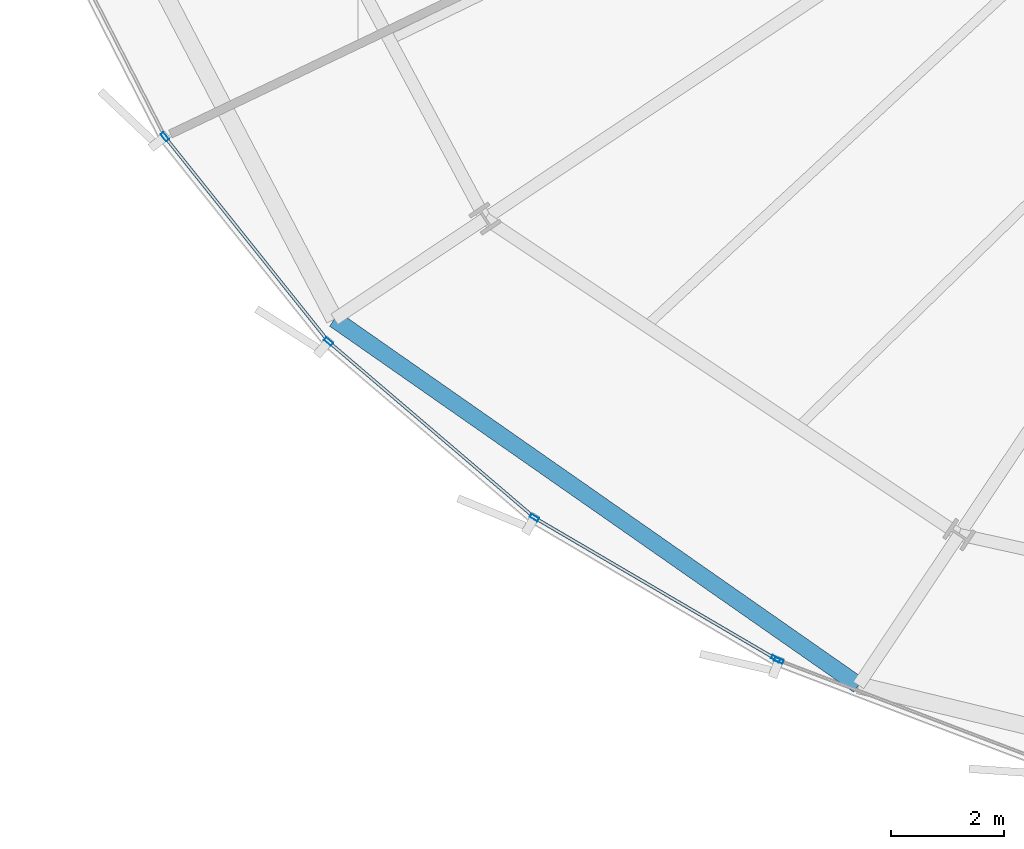
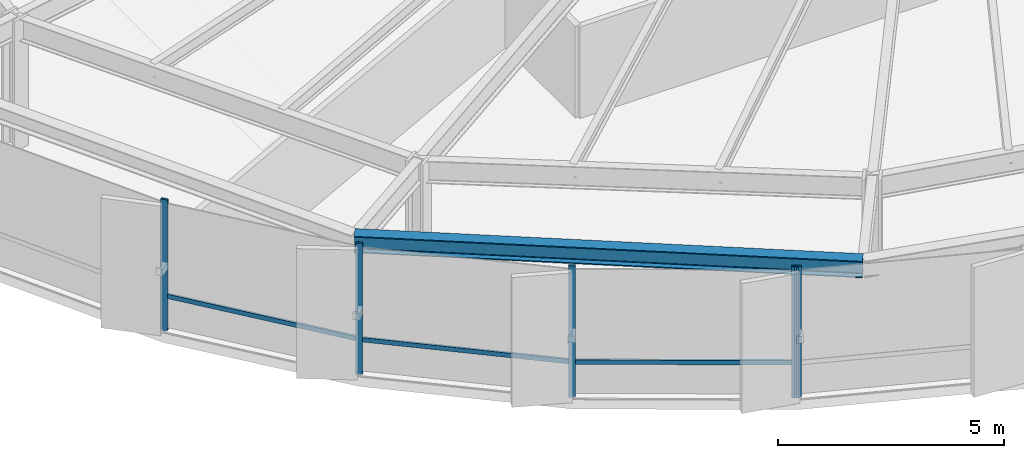
# One storey, part 2 of 38: 8 members, 1 beam, 2 elements without a shape of their own.
"""IFC4 building model written with IfcOpenShell, lengths in metres."""

from ifc_helpers import new_model, si_unit, direction, frame, origin, origin_2d, place, context, subcontext, project, spatial, hollow_rectangle, i_section, extrude, source, transform, mapped, material, layer, layer_set, material_profile, profile_set, type_object, element, aggregate, save


model = new_model("IFC4")

# Units and contexts
model_context = context("Model", 3, precision=1e-05, world=origin(), true_north=direction((0.0, 1.0)))
body_context = subcontext(model_context, "Body", "Model", "MODEL_VIEW")
ifc_project = project(units=[si_unit("LENGTHUNIT", "METRE"), si_unit("AREAUNIT", "SQUARE_METRE"), si_unit("VOLUMEUNIT", "CUBIC_METRE"), si_unit("PLANEANGLEUNIT", "RADIAN"), si_unit("MASSUNIT", "GRAM", prefix="KILO"), si_unit("THERMODYNAMICTEMPERATUREUNIT", "KELVIN")], contexts=[model_context])

# Site, building, storey
site_placement = place(None, origin())
site = spatial("IfcSite", under=ifc_project, at=site_placement, CompositionType="ELEMENT")
building_placement = place(site_placement, origin())
building = spatial("IfcBuilding", under=site, at=building_placement, Name="Kethvar Cultural Tower", CompositionType="ELEMENT")
storey_placement = place(building_placement, frame((0.0, 0.0, 67.60009765625)))
storey = spatial("IfcBuildingStorey", under=building, at=storey_placement, Name="L16", CompositionType="ELEMENT", Elevation=67.60009765625)

# Beam
ifc_material_1 = material(Name="Steel S355J2", Category="steel")
ifc_material_profile_1 = material_profile(ifc_material_1, i_section(OverallWidth=0.300048828125, OverallDepth=0.449951171875, WebThickness=0.013916015625, FlangeThickness=0.02587890625, FilletRadius=0.027099609375, at=origin_2d()), Name="Steel S355J2 — HEB450")
ifc_profile_set_1 = profile_set([ifc_material_profile_1], Name="Steel S355J2 — HEB450")
beam_type = type_object("IfcBeamType", Name="BM-SP450", PredefinedType="SPANDREL", material=ifc_profile_set_1)
shared_shape_1 = source(origin(), body_context, "Body", "SweptSolid", [
    extrude(i_section(OverallWidth=0.300048828125, OverallDepth=0.449951171875, WebThickness=0.013916015625, FlangeThickness=0.02587890625, FilletRadius=0.027099609375, at=origin_2d()), origin(), (0.0, 0.0, 1.0), 11.295166015625),
])
beam_placement = place(storey_placement, frame((22.263916015625, 11.405517578125, 3.322998046875), z_axis=(0.819850874587, -0.572577106981, 0.0), x_axis=(0.572577106981, 0.819850874587, 0.0)))
element("IfcBeam", 1, at=beam_placement, inside=storey, type_object=beam_type, Name="L16 Perimeter Spandrel Beam SP-10", PredefinedType="SPANDREL", context=body_context, shape_type="MappedRepresentation", body=[
    mapped(shared_shape_1, transform((0.0, 0.0, 0.0), scale=1.0)),
])

# Curtain wall, members
ifc_material_2 = material(Name="Aluminium 6063-T6", Category="aluminium")
ifc_layer = layer(ifc_material_2, 0.179931640625, Name="Aluminium 6063-T6", Category="aluminium")
ifc_layer_set = layer_set([ifc_layer], Name="Aluminium 6063-T6 (180 mm)")
curtain_wall_type = type_object("IfcCurtainWallType", Name="CW-SYS-02-Z1", PredefinedType="NOTDEFINED", material=ifc_layer_set)
curtain_wall_1_placement = place(storey_placement, origin())
curtain_wall_1 = element("IfcCurtainWall", 2, at=curtain_wall_1_placement, inside=storey, type_object=curtain_wall_type, Name="L16 Curtain Wall Run 04", PredefinedType="NOTDEFINED")
ifc_material_profile_2 = material_profile(ifc_material_2, hollow_rectangle(XDim=0.06494140625, YDim=0.159912109375, WallThickness=0.0048828125, at=origin_2d()), Name="Aluminium 6063-T6 — RHS160x65x5")
ifc_profile_set_2 = profile_set([ifc_material_profile_2], Name="Aluminium 6063-T6 — RHS160x65x5")
member_type_1 = type_object("IfcMemberType", Name="CW-SYS-02-Z1-MUL", PredefinedType="MULLION", material=ifc_profile_set_2)
shared_shape_2 = source(origin(), body_context, "Body", "SweptSolid", [
    extrude(hollow_rectangle(XDim=0.06494140625, YDim=0.159912109375, WallThickness=0.0048828125, at=origin_2d()), origin(), (0.0, 0.0, 1.0), 3.5498046875),
])
member_1_placement = place(storey_placement, frame((19.2666015625, 14.630126953125, 0.0), z_axis=(0.0, 0.0, 1.0), x_axis=(0.781171910449, 0.624315982757, 0.0)))
member_1 = element("IfcMember", 3, at=member_1_placement, type_object=member_type_1, Name="CW-L16-R04 Mullion 4", PredefinedType="MULLION", context=body_context, shape_type="MappedRepresentation", body=[
    mapped(shared_shape_2, transform((0.0, 0.0, 0.0), scale=1.0)),
])
member_2_placement = place(storey_placement, frame((22.156982421875, 11.010009765625, 0.0), z_axis=(0.0, 0.0, 1.0), x_axis=(0.649408232677, 0.760439969578, 0.0)))
member_2 = element("IfcMember", 4, at=member_2_placement, type_object=member_type_1, Name="CW-L16-R04 Mullion 5", PredefinedType="MULLION", context=body_context, shape_type="MappedRepresentation", body=[
    mapped(shared_shape_2, transform((0.0, 0.0, 0.0), scale=1.0)),
])
member_3_placement = place(storey_placement, frame((25.797119140625, 7.89892578125, 0.0), z_axis=(0.0, 0.0, 1.0), x_axis=(0.505190515165, 0.863007846655, 0.0)))
member_3 = element("IfcMember", 5, at=member_3_placement, type_object=member_type_1, Name="CW-L16-R04 Mullion 6", PredefinedType="MULLION", context=body_context, shape_type="MappedRepresentation", body=[
    mapped(shared_shape_2, transform((0.0, 0.0, 0.0), scale=1.0)),
])
member_4_placement = place(storey_placement, frame((30.05810546875, 5.40478515625, 0.0), z_axis=(0.0, 0.0, 1.0), x_axis=(0.505190515165, 0.863007846655, 0.0)))
member_4 = element("IfcMember", 6, at=member_4_placement, type_object=member_type_1, Name="CW-L16-R04 Mullion 7", PredefinedType="MULLION", context=body_context, shape_type="MappedRepresentation", body=[
    mapped(shared_shape_2, transform((0.0, 0.0, 0.0), scale=1.0)),
])

# Curtain wall, member
curtain_wall_2_placement = place(storey_placement, origin())
curtain_wall_2 = element("IfcCurtainWall", 7, at=curtain_wall_2_placement, inside=storey, type_object=curtain_wall_type, Name="L16 Curtain Wall Run 05", PredefinedType="NOTDEFINED")
member_5_placement = place(storey_placement, frame((30.1162109375, 5.376953125, 0.0), z_axis=(0.0, 0.0, 1.0), x_axis=(0.356020476665, 0.934478153942, 0.0)))
member_5 = element("IfcMember", 8, at=member_5_placement, type_object=member_type_1, Name="CW-L16-R05 Mullion 1", PredefinedType="MULLION", context=body_context, shape_type="MappedRepresentation", body=[
    mapped(shared_shape_2, transform((0.0, 0.0, 0.0), scale=1.0)),
])
aggregate(curtain_wall_2, [member_5])

# Member
ifc_material_profile_3 = material_profile(ifc_material_2, hollow_rectangle(XDim=0.054931640625, YDim=0.1201171875, WallThickness=0.00390625, at=origin_2d()), Name="Aluminium 6063-T6 — RHS120x55x4")
ifc_profile_set_3 = profile_set([ifc_material_profile_3], Name="Aluminium 6063-T6 — RHS120x55x4")
member_type_2 = type_object("IfcMemberType", Name="CW-SYS-02-Z1-TRN", PredefinedType="USERDEFINED", material=ifc_profile_set_3)
shared_shape_3 = source(origin(), body_context, "Body", "SweptSolid", [
    extrude(hollow_rectangle(XDim=0.054931640625, YDim=0.1201171875, WallThickness=0.00390625, at=origin_2d()), origin(), (0.0, 0.0, 1.0), 4.561279296875),
])
member_6_placement = place(storey_placement, frame((19.2958984375, 14.593505859375, 0.949951171875), z_axis=(0.624303330341, -0.781182022147, 0.0), x_axis=(0.781182022147, 0.624303330341, 0.0)))
member_6 = element("IfcMember", 9, at=member_6_placement, type_object=member_type_2, Name="CW-L16-R04 Transom 4", ObjectType="TRANSOM", PredefinedType="USERDEFINED", context=body_context, shape_type="MappedRepresentation", body=[
    mapped(shared_shape_3, transform((0.0, 0.0, 0.0), scale=1.0)),
])

shared_shape_4 = source(origin(), body_context, "Body", "SweptSolid", [
    extrude(hollow_rectangle(XDim=0.054931640625, YDim=0.1201171875, WallThickness=0.00390625, at=origin_2d()), origin(), (0.0, 0.0, 1.0), 4.716064453125),
])
member_7_placement = place(storey_placement, frame((22.192626953125, 10.979736328125, 0.949951171875), z_axis=(0.760421079346, -0.649430351991, 0.0), x_axis=(0.649430351991, 0.760421079346, 0.0)))
member_7 = element("IfcMember", 10, at=member_7_placement, type_object=member_type_2, Name="CW-L16-R04 Transom 5", ObjectType="TRANSOM", PredefinedType="USERDEFINED", context=body_context, shape_type="MappedRepresentation", body=[
    mapped(shared_shape_4, transform((0.0, 0.0, 0.0), scale=1.0)),
])

shared_shape_5 = source(origin(), body_context, "Body", "SweptSolid", [
    extrude(hollow_rectangle(XDim=0.054931640625, YDim=0.1201171875, WallThickness=0.00390625, at=origin_2d()), origin(), (0.0, 0.0, 1.0), 4.885986328125),
])
member_8_placement = place(storey_placement, frame((25.83740234375, 7.875244140625, 0.949951171875), z_axis=(0.863024033036, -0.505162863246, 0.0), x_axis=(0.505162863246, 0.863024033036, 0.0)))
member_8 = element("IfcMember", 11, at=member_8_placement, type_object=member_type_2, Name="CW-L16-R04 Transom 6", ObjectType="TRANSOM", PredefinedType="USERDEFINED", context=body_context, shape_type="MappedRepresentation", body=[
    mapped(shared_shape_5, transform((0.0, 0.0, 0.0), scale=1.0)),
])

aggregate(curtain_wall_1, [member_1, member_2, member_3, member_4, member_6, member_7, member_8])

save(model, "model.ifc")
